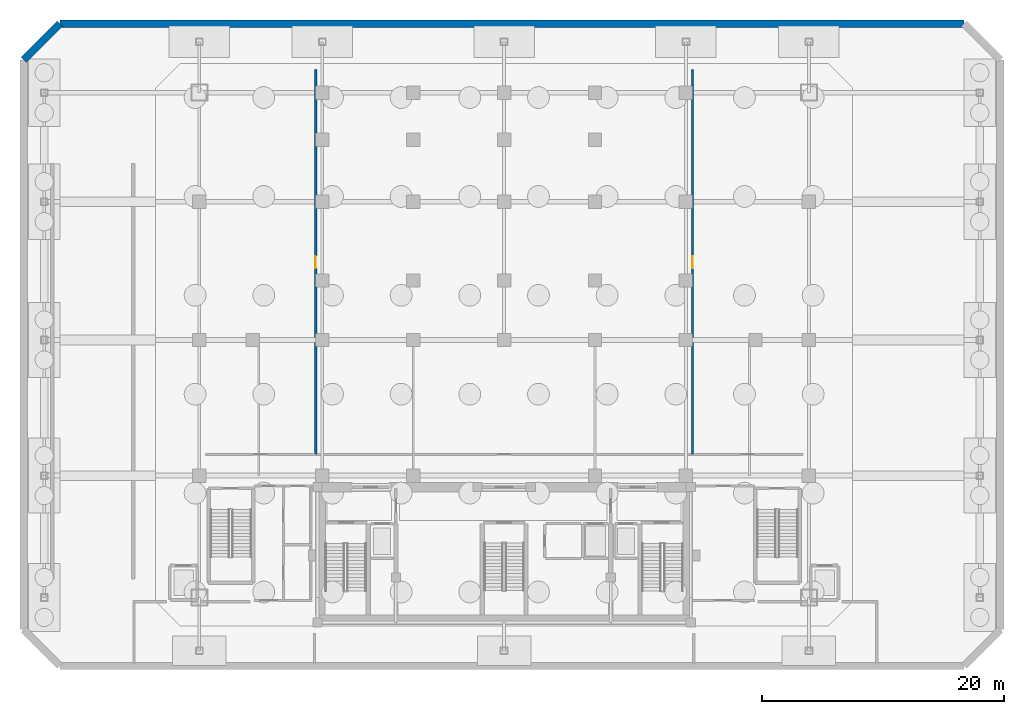
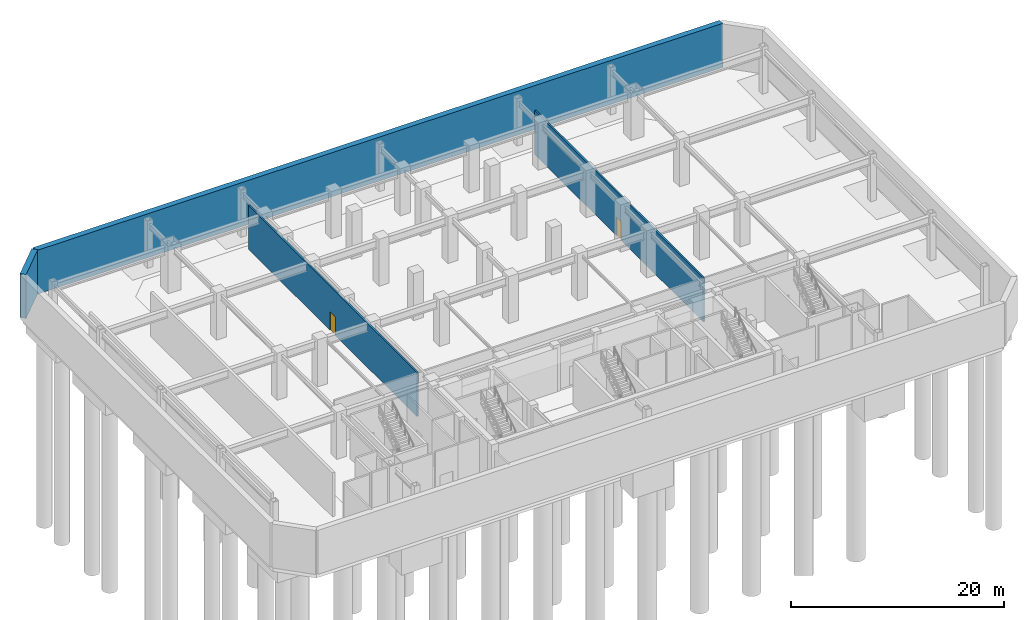
# One storey, part 6 of 10: 4 walls, 2 doors, 2 openings.
"""IFC4 building model written with IfcOpenShell, lengths in metres."""

from ifc_helpers import new_model, si_unit, direction, frame, frame_2d, origin, place, context, subcontext, project, spatial, rectangle, extrude, material, layer, layer_set, type_object, element, fill, save


model = new_model("IFC4")

# Units and contexts
model_context = context("Model", 3, precision=1e-05, world=origin(), true_north=direction((0.0, 1.0)))
body_context = subcontext(model_context, "Body", "Model", "MODEL_VIEW")
ifc_project = project(units=[si_unit("LENGTHUNIT", "METRE"), si_unit("AREAUNIT", "SQUARE_METRE"), si_unit("VOLUMEUNIT", "CUBIC_METRE"), si_unit("PLANEANGLEUNIT", "RADIAN"), si_unit("MASSUNIT", "GRAM", prefix="KILO")], contexts=[model_context])

# Site, building, storey
site_placement = place(None, origin())
site = spatial("IfcSite", under=ifc_project, at=site_placement, CompositionType="ELEMENT")
building_placement = place(site_placement, origin())
building = spatial("IfcBuilding", under=site, at=building_placement, Name="Ventersveld Concourse Tower", CompositionType="ELEMENT")
storey_placement = place(building_placement, frame((0.0, 0.0, -10.800048828125)))
storey = spatial("IfcBuildingStorey", under=building, at=storey_placement, Name="B02", CompositionType="ELEMENT", Elevation=-10.800048828125)

# Wall, opening, door
ifc_material_1 = material(Name="Fire-rated autoclaved aerated masonry blockwork", Category="masonry")
ifc_layer_1 = layer(ifc_material_1, 0.179931640625)
ifc_layer_set_1 = layer_set([ifc_layer_1], Name="Fire-rated autoclaved aerated masonry blockwork")
wall_type_1 = type_object("IfcWallType", Name="WL-CORR-180", PredefinedType="PARTITIONING", material=ifc_layer_set_1)
wall_1_placement = place(storey_placement, frame((13.199951171875, 14.155029296875, 0.0), z_axis=(0.0, 0.0, 1.0), x_axis=(0.0, 1.0, 0.0)))
wall_1 = element("IfcWall", 1, at=wall_1_placement, inside=storey, type_object=wall_type_1, Name="B02 Interior Partition SP-B02-PLAT-W-SP-B02-PLAT-C", PredefinedType="PARTITIONING", context=body_context, shape_type="SweptSolid", body=[
    extrude(rectangle(XDim=31.739990234375, YDim=0.179931640625, at=frame_2d((15.8701171875, 0.0))), origin(), (0.0, 0.0, 1.0), 5.050048828125),
])
opening_1_placement = place(wall_1_placement, frame((15.3701171875, 0.0, 0.0)))
opening_1 = element("IfcOpeningElement", 2, at=opening_1_placement, cuts=wall_1, Name="Opening FD3", PredefinedType="OPENING", context=body_context, shape_type="SweptSolid", body=[
    extrude(rectangle(XDim=1.0, YDim=2.14990234375, at=frame_2d((0.5, 1.074951171875))), frame((0.0, 0.10009765625, 0.0), z_axis=(0.0, -1.0, 0.0), x_axis=(1.0, 0.0, 0.0)), (0.0, 0.0, 1.0), 0.199951171875),
])
ifc_material_2 = material(Name="Solid-core hardwood veneer timber", Category="wood")
door_type = type_object("IfcDoorType", Name="DR-FLAT-100", OperationType="NOTDEFINED", PredefinedType="DOOR", material=ifc_material_2)
door_1_placement = place(opening_1_placement, origin())
door_1 = element("IfcDoor", 3, at=door_1_placement, inside=storey, type_object=door_type, Name="B02 Interior Door SP-B02-PLAT-W to SP-B02-PLAT-C (D-B02-0018)", OperationType="SINGLE_SWING_RIGHT", OverallHeight=2.14990234375, OverallWidth=1.0, PredefinedType="DOOR", context=body_context, shape_type="SweptSolid", body=[
    extrude(rectangle(XDim=1.0, YDim=2.14990234375, at=frame_2d((0.5, 1.074951171875))), frame((0.0, 0.02490234375, 0.0), z_axis=(0.0, -1.0, 0.0), x_axis=(1.0, 0.0, 0.0)), (0.0, 0.0, 1.0), 0.050048828125),
])
fill(opening_1, door_1)

wall_2_placement = place(storey_placement, frame((44.300048828125, 14.155029296875, 0.0), z_axis=(0.0, 0.0, 1.0), x_axis=(0.0, 1.0, 0.0)))
wall_2 = element("IfcWall", 4, at=wall_2_placement, inside=storey, type_object=wall_type_1, Name="B02 Interior Partition SP-B02-PLAT-C-SP-B02-PLAT-E", PredefinedType="PARTITIONING", context=body_context, shape_type="SweptSolid", body=[
    extrude(rectangle(XDim=31.739990234375, YDim=0.179931640625, at=frame_2d((15.8701171875, 0.0))), origin(), (0.0, 0.0, 1.0), 5.050048828125),
])
opening_2_placement = place(wall_2_placement, frame((15.3701171875, 0.0, 0.0)))
opening_2 = element("IfcOpeningElement", 5, at=opening_2_placement, cuts=wall_2, Name="Opening FD3", PredefinedType="OPENING", context=body_context, shape_type="SweptSolid", body=[
    extrude(rectangle(XDim=1.0, YDim=2.14990234375, at=frame_2d((0.5, 1.074951171875))), frame((0.0, 0.10009765625, 0.0), z_axis=(0.0, -1.0, 0.0), x_axis=(1.0, 0.0, 0.0)), (0.0, 0.0, 1.0), 0.199951171875),
])
door_2_placement = place(opening_2_placement, origin())
door_2 = element("IfcDoor", 6, at=door_2_placement, inside=storey, type_object=door_type, Name="B02 Interior Door SP-B02-PLAT-C to SP-B02-PLAT-E (D-B02-0019)", OperationType="SINGLE_SWING_LEFT", OverallHeight=2.14990234375, OverallWidth=1.0, PredefinedType="DOOR", context=body_context, shape_type="SweptSolid", body=[
    extrude(rectangle(XDim=1.0, YDim=2.14990234375, at=frame_2d((0.5, 1.074951171875))), frame((0.0, 0.02490234375, 0.0), z_axis=(0.0, -1.0, 0.0), x_axis=(1.0, 0.0, 0.0)), (0.0, 0.0, 1.0), 0.050048828125),
])
fill(opening_2, door_2)

# Walls
ifc_material_3 = material(Name="Concrete C50/60", Category="concrete")
ifc_layer_2 = layer(ifc_material_3, 0.60009765625)
ifc_layer_set_2 = layer_set([ifc_layer_2], Name="Concrete C50/60")
wall_type_2 = type_object("IfcWallType", Name="WL-RET-600", PredefinedType="SOLIDWALL", material=ifc_layer_set_2)
wall_3_placement = place(storey_placement, frame((66.699951171875, 49.699951171875, 0.0), z_axis=(0.0, 0.0, 1.0), x_axis=(-1.0, 0.0, 0.0)))
element("IfcWall", 7, at=wall_3_placement, inside=storey, type_object=wall_type_2, Name="B02 Basement Retaining Wall 05", PredefinedType="SOLIDWALL", context=body_context, shape_type="SweptSolid", body=[
    extrude(rectangle(XDim=74.599853515625, YDim=0.60009765625, at=frame_2d((37.2998046875, 0.0))), origin(), (0.0, 0.0, 1.0), 5.050048828125),
])
wall_4_placement = place(storey_placement, frame((-7.89990234375, 49.699951171875, 0.0), z_axis=(0.0, 0.0, 1.0), x_axis=(-0.707106781187, -0.707106781187, 0.0)))
element("IfcWall", 8, at=wall_4_placement, inside=storey, type_object=wall_type_2, Name="B02 Basement Retaining Wall 06", PredefinedType="SOLIDWALL", context=body_context, shape_type="SweptSolid", body=[
    extrude(rectangle(XDim=4.24267578125, YDim=0.60009765625, at=frame_2d((2.121337890625, 0.0))), origin(), (0.0, 0.0, 1.0), 5.050048828125),
])

save(model, "model.ifc")
